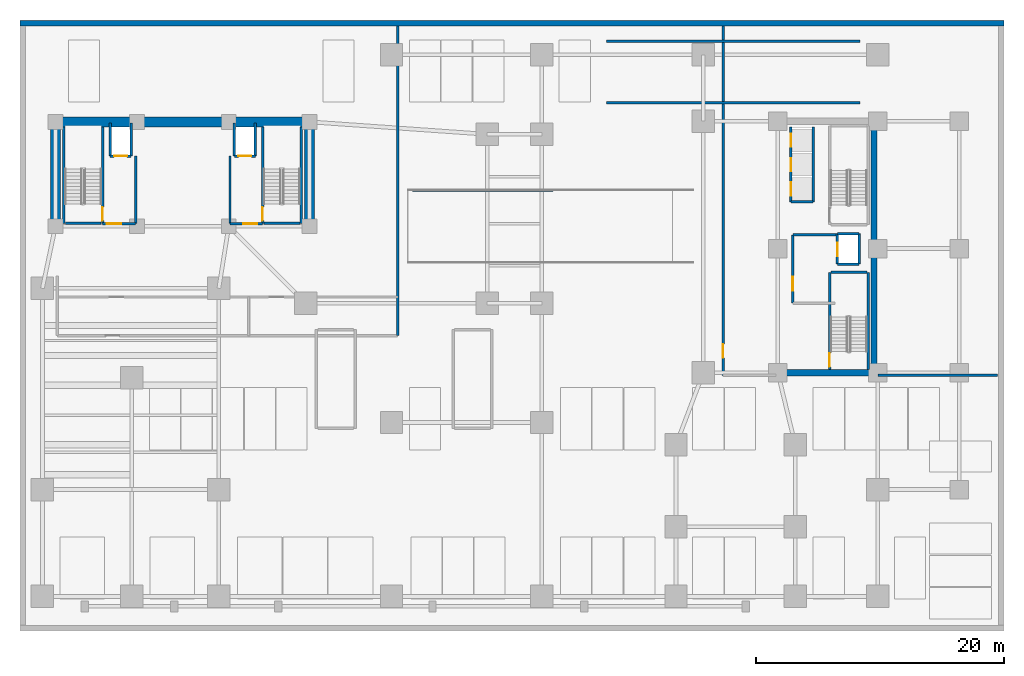
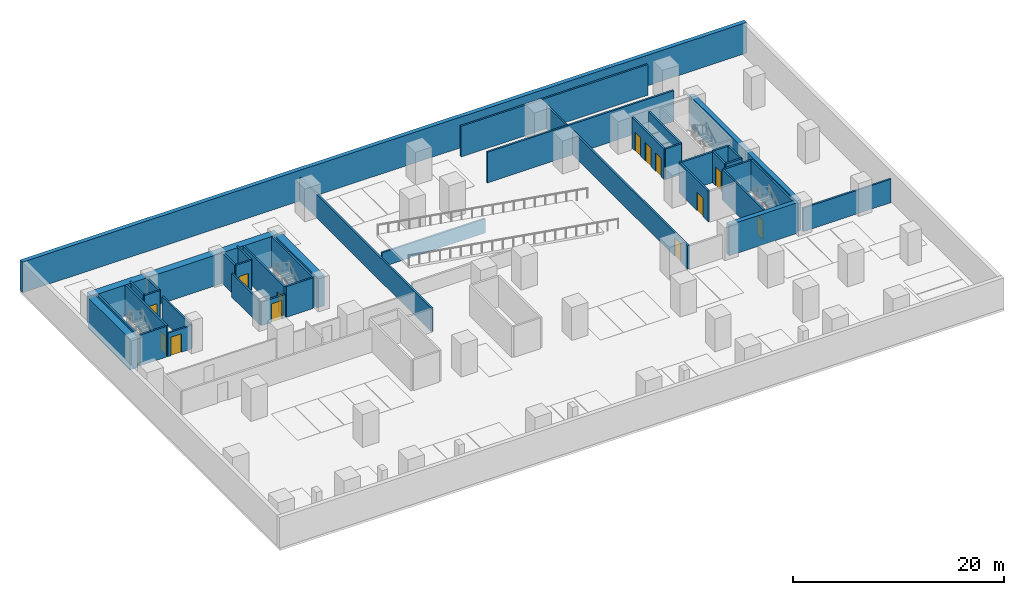
# One storey, part 3 of 9: 40 walls, 13 doors, 13 openings.
"""IFC4 building model written with IfcOpenShell, lengths in metres."""

from ifc_helpers import new_model, si_unit, direction, frame, frame_2d, origin, place, context, subcontext, project, spatial, rectangle, extrude, material, layer, layer_set, type_object, element, fill, save


model = new_model("IFC4")

# Units and contexts
model_context = context("Model", 3, precision=1e-05, world=origin(), true_north=direction((0.0, 1.0)))
body_context = subcontext(model_context, "Body", "Model", "MODEL_VIEW")
ifc_project = project(units=[si_unit("LENGTHUNIT", "METRE"), si_unit("AREAUNIT", "SQUARE_METRE"), si_unit("VOLUMEUNIT", "CUBIC_METRE"), si_unit("PLANEANGLEUNIT", "RADIAN"), si_unit("MASSUNIT", "GRAM", prefix="KILO")], contexts=[model_context])

# Site, building, storey
site_placement = place(None, origin())
site = spatial("IfcSite", under=ifc_project, at=site_placement, CompositionType="ELEMENT")
building_placement = place(site_placement, origin())
building = spatial("IfcBuilding", under=site, at=building_placement, Name="Kuzgunbayir Cultural Tower", CompositionType="ELEMENT")
storey_placement = place(building_placement, frame((0.0, 0.0, -7.60009765625)))
storey = spatial("IfcBuildingStorey", under=building, at=storey_placement, Name="B02", CompositionType="ELEMENT", Elevation=-7.60009765625)

# Walls
ifc_material_1 = material(Name="Concrete C60/75", Category="concrete")
ifc_layer_1 = layer(ifc_material_1, 0.800048828125)
ifc_layer_set_1 = layer_set([ifc_layer_1], Name="Concrete C60/75")
wall_type_1 = type_object("IfcWallType", Name="WAL-CORE-800", PredefinedType="SHEAR", material=ifc_layer_set_1)
wall_1_placement = place(storey_placement, frame((6.449951171875, 42.199951171875, 0.0), z_axis=(0.0, 0.0, 1.0), x_axis=(1.0, 0.0, 0.0)))
element("IfcWall", 1, at=wall_1_placement, inside=storey, type_object=wall_type_1, Name="B02 T1 Core North Shear Wall", PredefinedType="SHEAR", context=body_context, shape_type="SweptSolid", body=[
    extrude(rectangle(XDim=20.449951171875, YDim=0.800048828125, at=frame_2d((10.22509765625, 0.0))), origin(), (0.0, 0.0, 1.0), 3.550048828125),
])
for number, where, z_axis, x_axis, name in (
    (2, (6.449951171875, 33.800048828125, 0.0), (0.0, 0.0, 1.0), (0.0, 1.0, 0.0), "B02 T1 Core West Shear Wall"),
    (3, (26.89990234375, 33.800048828125, 0.0), (0.0, 0.0, 1.0), (0.0, 1.0, 0.0), "B02 T1 Core East Shear Wall"),
):
    element("IfcWall", number, at=place(storey_placement, frame(where, z_axis=z_axis, x_axis=x_axis)), inside=storey, type_object=wall_type_1, Name=name, PredefinedType="SHEAR", context=body_context, shape_type="SweptSolid", body=[
        extrude(rectangle(XDim=7.949951171875, YDim=0.800048828125, at=frame_2d((3.97509765625, 0.0))), origin(), (0.0, 0.0, 1.0), 3.550048828125),
    ])
ifc_material_2 = material(Name="Concrete C40/50", Category="concrete")
ifc_layer_2 = layer(ifc_material_2, 0.449951171875)
ifc_layer_set_2 = layer_set([ifc_layer_2], Name="Concrete C40/50")
wall_type_2 = type_object("IfcWallType", Name="WAL-EXT-BSM-450", PredefinedType="SOLIDWALL", material=ifc_layer_set_2)
wall_2_placement = place(storey_placement, frame((82.800048828125, 50.14990234375, 0.0), z_axis=(0.0, 0.0, 1.0), x_axis=(-1.0, 0.0, 0.0)))
element("IfcWall", 4, at=wall_2_placement, inside=storey, type_object=wall_type_2, Name="B02 North Retaining Wall", PredefinedType="SOLIDWALL", context=body_context, shape_type="SweptSolid", body=[
    extrude(rectangle(XDim=79.199951171875, YDim=0.449951171875, at=frame_2d((39.60009765625, 0.0))), origin(), (0.0, 0.0, 1.0), 3.550048828125),
])
ifc_material_3 = material(Name="Aerated Concrete Blockwork", Category="masonry")
ifc_layer_3 = layer(ifc_material_3, 0.199951171875)
ifc_layer_set_3 = layer_set([ifc_layer_3], Name="Aerated Concrete Blockwork")
wall_type_3 = type_object("IfcWallType", Name="WAL-PART-FIRE-200", PredefinedType="PARTITIONING", material=ifc_layer_set_3)
wall_3_placement = place(storey_placement, frame((12.89990234375, 34.0, 0.0), z_axis=(0.0, 0.0, 1.0), x_axis=(0.0, 1.0, 0.0)))
element("IfcWall", 5, at=wall_3_placement, inside=storey, type_object=wall_type_3, Name="B02 FFL-1 Lobby East Fire Wall", PredefinedType="PARTITIONING", context=body_context, shape_type="SweptSolid", body=[
    extrude(rectangle(XDim=5.449951171875, YDim=0.199951171875, at=frame_2d((2.72509765625, 0.0))), origin(), (0.0, 0.0, 1.0), 2.72021484375),
])

# Wall, opening, door
wall_4_placement = place(storey_placement, frame((10.239990234375, 34.0, 0.0), z_axis=(0.0, 0.0, 1.0), x_axis=(1.0, 0.0, 0.0)))
wall_4 = element("IfcWall", 6, at=wall_4_placement, inside=storey, type_object=wall_type_3, Name="B02 FFL-1 Lobby South Fire Wall", PredefinedType="PARTITIONING", context=body_context, shape_type="SweptSolid", body=[
    extrude(rectangle(XDim=2.659912109375, YDim=0.199951171875, at=frame_2d((1.330078125, 0.0))), origin(), (0.0, 0.0, 1.0), 2.72021484375),
])
opening_1_placement = place(wall_4_placement, frame((0.35009765625, 0.0, 0.0)))
opening_1 = element("IfcOpeningElement", 7, at=opening_1_placement, cuts=wall_4, Name="Opening DR-FFL-90", PredefinedType="OPENING", context=body_context, shape_type="SweptSolid", body=[
    extrude(rectangle(XDim=1.14990234375, YDim=2.14990234375, at=frame_2d((0.574951171875, 1.074951171875))), frame((0.0, 0.10986328125, 0.0), z_axis=(0.0, -1.0, 0.0), x_axis=(1.0, 0.0, 0.0)), (0.0, 0.0, 1.0), 0.219970703125),
])
ifc_material_4 = material(Name="Steel S355J2", Category="steel")
door_type_1 = type_object("IfcDoorType", Name="DR-FFL-90", OperationType="NOTDEFINED", PredefinedType="DOOR", material=ifc_material_4)
door_1_placement = place(opening_1_placement, origin())
door_1 = element("IfcDoor", 8, at=door_1_placement, inside=storey, type_object=door_type_1, Name="B02 Firefighting Lobby 1 Door", OperationType="SINGLE_SWING_LEFT", OverallHeight=2.14990234375, OverallWidth=1.14990234375, PredefinedType="DOOR", context=body_context, shape_type="SweptSolid", body=[
    extrude(rectangle(XDim=1.14990234375, YDim=2.14990234375, at=frame_2d((0.574951171875, 1.074951171875))), frame((0.0, 0.02490234375, 0.0), z_axis=(0.0, -1.0, 0.0), x_axis=(1.0, 0.0, 0.0)), (0.0, 0.0, 1.0), 0.050048828125),
])
fill(opening_1, door_1)

# Wall
wall_5_placement = place(storey_placement, frame((20.5, 34.0, 0.0), z_axis=(0.0, 0.0, 1.0), x_axis=(0.0, 1.0, 0.0)))
element("IfcWall", 9, at=wall_5_placement, inside=storey, type_object=wall_type_3, Name="B02 FFL-2 Lobby West Fire Wall", PredefinedType="PARTITIONING", context=body_context, shape_type="SweptSolid", body=[
    extrude(rectangle(XDim=5.449951171875, YDim=0.199951171875, at=frame_2d((2.72509765625, 0.0))), origin(), (0.0, 0.0, 1.0), 2.72021484375),
])

# Wall, opening, door
wall_6_placement = place(storey_placement, frame((20.5, 34.0, 0.0), z_axis=(0.0, 0.0, 1.0), x_axis=(1.0, 0.0, 0.0)))
wall_6 = element("IfcWall", 10, at=wall_6_placement, inside=storey, type_object=wall_type_3, Name="B02 FFL-2 Lobby South Fire Wall", PredefinedType="PARTITIONING", context=body_context, shape_type="SweptSolid", body=[
    extrude(rectangle(XDim=2.60009765625, YDim=0.199951171875, at=frame_2d((1.300048828125, 0.0))), origin(), (0.0, 0.0, 1.0), 2.72021484375),
])
opening_2_placement = place(wall_6_placement, frame((1.050048828125, 0.0, 0.0)))
opening_2 = element("IfcOpeningElement", 11, at=opening_2_placement, cuts=wall_6, Name="Opening DR-FFL-90", PredefinedType="OPENING", context=body_context, shape_type="SweptSolid", body=[
    extrude(rectangle(XDim=1.14990234375, YDim=2.14990234375, at=frame_2d((0.574951171875, 1.074951171875))), frame((0.0, 0.10986328125, 0.0), z_axis=(0.0, -1.0, 0.0), x_axis=(1.0, 0.0, 0.0)), (0.0, 0.0, 1.0), 0.219970703125),
])
door_2_placement = place(opening_2_placement, origin())
door_2 = element("IfcDoor", 12, at=door_2_placement, inside=storey, type_object=door_type_1, Name="B02 Firefighting Lobby 2 Door", OperationType="SINGLE_SWING_RIGHT", OverallHeight=2.14990234375, OverallWidth=1.14990234375, PredefinedType="DOOR", context=body_context, shape_type="SweptSolid", body=[
    extrude(rectangle(XDim=1.14990234375, YDim=2.14990234375, at=frame_2d((0.574951171875, 1.074951171875))), frame((0.0, 0.02490234375, 0.0), z_axis=(0.0, -1.0, 0.0), x_axis=(1.0, 0.0, 0.0)), (0.0, 0.0, 1.0), 0.050048828125),
])
fill(opening_2, door_2)

wall_7_placement = place(storey_placement, frame((65.800048828125, 27.60009765625, 0.0), z_axis=(0.0, 0.0, 1.0), x_axis=(0.0, 1.0, 0.0)))
wall_7 = element("IfcWall", 13, at=wall_7_placement, inside=storey, type_object=wall_type_3, Name="B02 FFL-3 Lobby West Fire Wall", PredefinedType="PARTITIONING", context=body_context, shape_type="SweptSolid", body=[
    extrude(rectangle(XDim=5.5, YDim=0.199951171875, at=frame_2d((2.75, 0.0))), origin(), (0.0, 0.0, 1.0), 3.550048828125),
])
opening_3_placement = place(wall_7_placement, frame((1.0, 0.0, 0.0)))
opening_3 = element("IfcOpeningElement", 14, at=opening_3_placement, cuts=wall_7, Name="Opening DR-FFL-90", PredefinedType="OPENING", context=body_context, shape_type="SweptSolid", body=[
    extrude(rectangle(XDim=1.14990234375, YDim=2.14990234375, at=frame_2d((0.574951171875, 1.074951171875))), frame((0.0, 0.10986328125, 0.0), z_axis=(0.0, -1.0, 0.0), x_axis=(1.0, 0.0, 0.0)), (0.0, 0.0, 1.0), 0.219970703125),
])
door_3_placement = place(opening_3_placement, origin())
door_3 = element("IfcDoor", 15, at=door_3_placement, inside=storey, type_object=door_type_1, Name="B02 Firefighting Lobby 3 Door", OperationType="SINGLE_SWING_LEFT", OverallHeight=2.14990234375, OverallWidth=1.14990234375, PredefinedType="DOOR", context=body_context, shape_type="SweptSolid", body=[
    extrude(rectangle(XDim=1.14990234375, YDim=2.14990234375, at=frame_2d((0.574951171875, 1.074951171875))), frame((0.0, 0.02490234375, 0.0), z_axis=(0.0, -1.0, 0.0), x_axis=(1.0, 0.0, 0.0)), (0.0, 0.0, 1.0), 0.050048828125),
])
fill(opening_3, door_3)

# Walls
wall_8_placement = place(storey_placement, frame((65.800048828125, 33.10009765625, 0.0), z_axis=(0.0, 0.0, 1.0), x_axis=(1.0, 0.0, 0.0)))
element("IfcWall", 16, at=wall_8_placement, inside=storey, type_object=wall_type_3, Name="B02 FFL-3 Lobby North Fire Wall", PredefinedType="PARTITIONING", context=body_context, shape_type="SweptSolid", body=[
    extrude(rectangle(XDim=3.599853515625, YDim=0.199951171875, at=frame_2d((1.7998046875, 0.0))), origin(), (0.0, 0.0, 1.0), 3.550048828125),
])
wall_9_placement = place(storey_placement, frame((34.0, 25.0, 0.0), z_axis=(0.0, 0.0, 1.0), x_axis=(0.0, 1.0, 0.0)))
element("IfcWall", 17, at=wall_9_placement, inside=storey, type_object=wall_type_3, Name="B02 Basement Core East Fire Wall", PredefinedType="PARTITIONING", context=body_context, shape_type="SweptSolid", body=[
    extrude(rectangle(XDim=24.89990234375, YDim=0.199951171875, at=frame_2d((12.449951171875, 0.0))), origin(), (0.0, 0.0, 1.0), 2.72021484375),
])

# Wall, opening, door
wall_10_placement = place(storey_placement, frame((60.199951171875, 21.800048828125, 0.0), z_axis=(0.0, 0.0, 1.0), x_axis=(0.0, 1.0, 0.0)))
wall_10 = element("IfcWall", 18, at=wall_10_placement, inside=storey, type_object=wall_type_3, Name="B02 Companion Basement Core Fire Wall", PredefinedType="PARTITIONING", context=body_context, shape_type="SweptSolid", body=[
    extrude(rectangle(XDim=28.099853515625, YDim=0.199951171875, at=frame_2d((14.0498046875, 0.0))), origin(), (0.0, 0.0, 1.0), 2.72021484375),
])
opening_4_placement = place(wall_10_placement, frame((1.39990234375, 0.0, 0.0)))
opening_4 = element("IfcOpeningElement", 19, at=opening_4_placement, cuts=wall_10, Name="Opening DR-STAIR-90", PredefinedType="OPENING", context=body_context, shape_type="SweptSolid", body=[
    extrude(rectangle(XDim=1.10009765625, YDim=2.14990234375, at=frame_2d((0.550048828125, 1.074951171875))), frame((0.0, 0.10986328125, 0.0), z_axis=(0.0, -1.0, 0.0), x_axis=(1.0, 0.0, 0.0)), (0.0, 0.0, 1.0), 0.219970703125),
])
door_type_2 = type_object("IfcDoorType", Name="DR-STAIR-90", OperationType="NOTDEFINED", PredefinedType="DOOR", material=ifc_material_4)
door_4_placement = place(opening_4_placement, origin())
door_4 = element("IfcDoor", 20, at=door_4_placement, inside=storey, type_object=door_type_2, Name="B02 Parking to Companion Core Corridor Door", OperationType="SINGLE_SWING_RIGHT", OverallHeight=2.14990234375, OverallWidth=1.10009765625, PredefinedType="DOOR", context=body_context, shape_type="SweptSolid", body=[
    extrude(rectangle(XDim=1.10009765625, YDim=2.14990234375, at=frame_2d((0.550048828125, 1.074951171875))), frame((0.0, 0.02490234375, 0.0), z_axis=(0.0, -1.0, 0.0), x_axis=(1.0, 0.0, 0.0)), (0.0, 0.0, 1.0), 0.050048828125),
])
fill(opening_4, door_4)

# Wall
wall_11_placement = place(storey_placement, frame((72.64990234375, 21.800048828125, 0.0), z_axis=(0.0, 0.0, 1.0), x_axis=(1.0, 0.0, 0.0)))
element("IfcWall", 21, at=wall_11_placement, inside=storey, type_object=wall_type_3, Name="B02 Companion Basement East Wall", PredefinedType="PARTITIONING", context=body_context, shape_type="SweptSolid", body=[
    extrude(rectangle(XDim=9.650146484375, YDim=0.199951171875, at=frame_2d((4.8251953125, 0.0))), origin(), (0.0, 0.0, 1.0), 2.72021484375),
])

# Wall, opening, door
ifc_layer_4 = layer(ifc_material_2, 0.199951171875)
ifc_layer_set_4 = layer_set([ifc_layer_4], Name="Concrete C40/50")
wall_type_4 = type_object("IfcWallType", Name="WAL-SHAFT-200", PredefinedType="MOVABLE", material=ifc_layer_set_4)
wall_12_placement = place(storey_placement, frame((10.85009765625, 39.449951171875, 0.0), z_axis=(0.0, 0.0, 1.0), x_axis=(1.0, 0.0, 0.0)))
wall_12 = element("IfcWall", 22, at=wall_12_placement, inside=storey, type_object=wall_type_4, Name="B02 FFL-1 Lift Front Wall", PredefinedType="MOVABLE", context=body_context, shape_type="SweptSolid", body=[
    extrude(rectangle(XDim=1.699951171875, YDim=0.199951171875, at=frame_2d((0.85009765625, 0.0))), origin(), (0.0, 0.0, 1.0), 3.550048828125),
])
opening_5_placement = place(wall_12_placement, frame((0.320068359375, 0.0, 0.0)))
opening_5 = element("IfcOpeningElement", 23, at=opening_5_placement, cuts=wall_12, Name="Opening LD", PredefinedType="OPENING", context=body_context, shape_type="SweptSolid", body=[
    extrude(rectangle(XDim=1.050048828125, YDim=2.14990234375, at=frame_2d((0.52490234375, 1.074951171875))), frame((0.0, 0.10986328125, 0.0), z_axis=(0.0, -1.0, 0.0), x_axis=(1.0, 0.0, 0.0)), (0.0, 0.0, 1.0), 0.219970703125),
])
ifc_material_5 = material(Name="Brushed Stainless Steel", Category="steel")
door_type_3 = type_object("IfcDoorType", Name="DR-LIFT-LANDING", OperationType="SLIDING_TO_LEFT", PredefinedType="DOOR", material=ifc_material_5)
door_5_placement = place(opening_5_placement, origin())
door_5 = element("IfcDoor", 24, at=door_5_placement, inside=storey, type_object=door_type_3, Name="B02 Lift FFL-1 Landing Door", OperationType="SLIDING_TO_LEFT", OverallHeight=2.14990234375, OverallWidth=1.050048828125, PredefinedType="DOOR", context=body_context, shape_type="SweptSolid", body=[
    extrude(rectangle(XDim=1.050048828125, YDim=2.14990234375, at=frame_2d((0.52490234375, 1.074951171875))), frame((0.0, 0.02490234375, 0.0), z_axis=(0.0, -1.0, 0.0), x_axis=(1.0, 0.0, 0.0)), (0.0, 0.0, 1.0), 0.050048828125),
])
fill(opening_5, door_5)

wall_13_placement = place(storey_placement, frame((20.85009765625, 39.449951171875, 0.0), z_axis=(0.0, 0.0, 1.0), x_axis=(1.0, 0.0, 0.0)))
wall_13 = element("IfcWall", 25, at=wall_13_placement, inside=storey, type_object=wall_type_4, Name="B02 FFL-2 Lift Front Wall", PredefinedType="MOVABLE", context=body_context, shape_type="SweptSolid", body=[
    extrude(rectangle(XDim=1.699951171875, YDim=0.199951171875, at=frame_2d((0.85009765625, 0.0))), origin(), (0.0, 0.0, 1.0), 3.550048828125),
])
opening_6_placement = place(wall_13_placement, frame((0.320068359375, 0.0, 0.0)))
opening_6 = element("IfcOpeningElement", 26, at=opening_6_placement, cuts=wall_13, Name="Opening LD", PredefinedType="OPENING", context=body_context, shape_type="SweptSolid", body=[
    extrude(rectangle(XDim=1.050048828125, YDim=2.14990234375, at=frame_2d((0.52490234375, 1.074951171875))), frame((0.0, 0.10986328125, 0.0), z_axis=(0.0, -1.0, 0.0), x_axis=(1.0, 0.0, 0.0)), (0.0, 0.0, 1.0), 0.219970703125),
])
door_6_placement = place(opening_6_placement, origin())
door_6 = element("IfcDoor", 27, at=door_6_placement, inside=storey, type_object=door_type_3, Name="B02 Lift FFL-2 Landing Door", OperationType="SLIDING_TO_LEFT", OverallHeight=2.14990234375, OverallWidth=1.050048828125, PredefinedType="DOOR", context=body_context, shape_type="SweptSolid", body=[
    extrude(rectangle(XDim=1.050048828125, YDim=2.14990234375, at=frame_2d((0.52490234375, 1.074951171875))), frame((0.0, 0.02490234375, 0.0), z_axis=(0.0, -1.0, 0.0), x_axis=(1.0, 0.0, 0.0)), (0.0, 0.0, 1.0), 0.050048828125),
])
fill(opening_6, door_6)

# Walls
for number, where, z_axis, x_axis, name in (
    (28, (10.85009765625, 39.449951171875, 0.0), (0.0, 0.0, 1.0), (0.0, 1.0, 0.0), "B02 FFL-1 Shaft West Wall"),
    (29, (12.550048828125, 39.449951171875, 0.0), (0.0, 0.0, 1.0), (0.0, 1.0, 0.0), "B02 FFL-1 Shaft East Wall"),
    (30, (20.85009765625, 39.449951171875, 0.0), (0.0, 0.0, 1.0), (0.0, 1.0, 0.0), "B02 FFL-2 Shaft West Wall"),
    (31, (22.550048828125, 39.449951171875, 0.0), (0.0, 0.0, 1.0), (0.0, 1.0, 0.0), "B02 FFL-2 Shaft East Wall"),
):
    element("IfcWall", number, at=place(storey_placement, frame(where, z_axis=z_axis, x_axis=x_axis)), inside=storey, type_object=wall_type_4, Name=name, PredefinedType="MOVABLE", context=body_context, shape_type="SweptSolid", body=[
        extrude(rectangle(XDim=2.650146484375, YDim=0.199951171875, at=frame_2d((1.3251953125, 0.0))), origin(), (0.0, 0.0, 1.0), 3.550048828125),
    ])

# Wall, openings, doors
wall_14_placement = place(storey_placement, frame((65.64990234375, 35.75, 0.0), z_axis=(0.0, 0.0, 1.0), x_axis=(0.0, 1.0, 0.0)))
wall_14 = element("IfcWall", 32, at=wall_14_placement, inside=storey, type_object=wall_type_4, Name="B02 Companion Lift Front Wall", PredefinedType="MOVABLE", context=body_context, shape_type="SweptSolid", body=[
    extrude(rectangle(XDim=6.050048828125, YDim=0.199951171875, at=frame_2d((3.02490234375, 0.0))), origin(), (0.0, 0.0, 1.0), 3.550048828125),
])
opening_7_placement = place(wall_14_placement, frame((0.52001953125, 0.0, 0.0)))
opening_7 = element("IfcOpeningElement", 33, at=opening_7_placement, cuts=wall_14, Name="Opening LD", PredefinedType="OPENING", context=body_context, shape_type="SweptSolid", body=[
    extrude(rectangle(XDim=1.050048828125, YDim=2.14990234375, at=frame_2d((0.52490234375, 1.074951171875))), frame((0.0, 0.10986328125, 0.0), z_axis=(0.0, -1.0, 0.0), x_axis=(1.0, 0.0, 0.0)), (0.0, 0.0, 1.0), 0.219970703125),
])
opening_8_placement = place(wall_14_placement, frame((2.47998046875, 0.0, 0.0)))
opening_8 = element("IfcOpeningElement", 34, at=opening_8_placement, cuts=wall_14, Name="Opening LD", PredefinedType="OPENING", context=body_context, shape_type="SweptSolid", body=[
    extrude(rectangle(XDim=1.050048828125, YDim=2.14990234375, at=frame_2d((0.52490234375, 1.074951171875))), frame((0.0, 0.10986328125, 0.0), z_axis=(0.0, -1.0, 0.0), x_axis=(1.0, 0.0, 0.0)), (0.0, 0.0, 1.0), 0.219970703125),
])
opening_9_placement = place(wall_14_placement, frame((4.429931640625, 0.0, 0.0)))
opening_9 = element("IfcOpeningElement", 35, at=opening_9_placement, cuts=wall_14, Name="Opening LD", PredefinedType="OPENING", context=body_context, shape_type="SweptSolid", body=[
    extrude(rectangle(XDim=1.050048828125, YDim=2.14990234375, at=frame_2d((0.52490234375, 1.074951171875))), frame((0.0, 0.10986328125, 0.0), z_axis=(0.0, -1.0, 0.0), x_axis=(1.0, 0.0, 0.0)), (0.0, 0.0, 1.0), 0.219970703125),
])
door_7_placement = place(opening_7_placement, origin())
door_7 = element("IfcDoor", 36, at=door_7_placement, inside=storey, type_object=door_type_3, Name="B02 Lift PC-1 Landing Door", OperationType="SLIDING_TO_LEFT", OverallHeight=2.14990234375, OverallWidth=1.050048828125, PredefinedType="DOOR", context=body_context, shape_type="SweptSolid", body=[
    extrude(rectangle(XDim=1.050048828125, YDim=2.14990234375, at=frame_2d((0.52490234375, 1.074951171875))), frame((0.0, 0.02490234375, 0.0), z_axis=(0.0, -1.0, 0.0), x_axis=(1.0, 0.0, 0.0)), (0.0, 0.0, 1.0), 0.050048828125),
])
fill(opening_7, door_7)
door_8_placement = place(opening_8_placement, origin())
door_8 = element("IfcDoor", 37, at=door_8_placement, inside=storey, type_object=door_type_3, Name="B02 Lift PC-2 Landing Door", OperationType="SLIDING_TO_LEFT", OverallHeight=2.14990234375, OverallWidth=1.050048828125, PredefinedType="DOOR", context=body_context, shape_type="SweptSolid", body=[
    extrude(rectangle(XDim=1.050048828125, YDim=2.14990234375, at=frame_2d((0.52490234375, 1.074951171875))), frame((0.0, 0.02490234375, 0.0), z_axis=(0.0, -1.0, 0.0), x_axis=(1.0, 0.0, 0.0)), (0.0, 0.0, 1.0), 0.050048828125),
])
fill(opening_8, door_8)
door_9_placement = place(opening_9_placement, origin())
door_9 = element("IfcDoor", 38, at=door_9_placement, inside=storey, type_object=door_type_3, Name="B02 Lift PC-3 Landing Door", OperationType="SLIDING_TO_LEFT", OverallHeight=2.14990234375, OverallWidth=1.050048828125, PredefinedType="DOOR", context=body_context, shape_type="SweptSolid", body=[
    extrude(rectangle(XDim=1.050048828125, YDim=2.14990234375, at=frame_2d((0.52490234375, 1.074951171875))), frame((0.0, 0.02490234375, 0.0), z_axis=(0.0, -1.0, 0.0), x_axis=(1.0, 0.0, 0.0)), (0.0, 0.0, 1.0), 0.050048828125),
])
fill(opening_9, door_9)

# Walls
wall_15_placement = place(storey_placement, frame((67.449951171875, 35.75, 0.0), z_axis=(0.0, 0.0, 1.0), x_axis=(0.0, 1.0, 0.0)))
element("IfcWall", 39, at=wall_15_placement, inside=storey, type_object=wall_type_4, Name="B02 Companion Lift Shaft Back Wall", PredefinedType="MOVABLE", context=body_context, shape_type="SweptSolid", body=[
    extrude(rectangle(XDim=6.050048828125, YDim=0.199951171875, at=frame_2d((3.02490234375, 0.0))), origin(), (0.0, 0.0, 1.0), 3.550048828125),
])
wall_16_placement = place(storey_placement, frame((65.64990234375, 35.75, 0.0), z_axis=(0.0, 0.0, 1.0), x_axis=(1.0, 0.0, 0.0)))
element("IfcWall", 40, at=wall_16_placement, inside=storey, type_object=wall_type_4, Name="B02 Companion Lift Shaft South Wall", PredefinedType="MOVABLE", context=body_context, shape_type="SweptSolid", body=[
    extrude(rectangle(XDim=1.800048828125, YDim=0.199951171875, at=frame_2d((0.89990234375, 0.0))), origin(), (0.0, 0.0, 1.0), 3.550048828125),
])

# Wall, opening, door
wall_17_placement = place(storey_placement, frame((69.39990234375, 30.75, 0.0), z_axis=(0.0, 0.0, 1.0), x_axis=(0.0, 1.0, 0.0)))
wall_17 = element("IfcWall", 41, at=wall_17_placement, inside=storey, type_object=wall_type_4, Name="B02 FFL-3 Lift Front Wall", PredefinedType="MOVABLE", context=body_context, shape_type="SweptSolid", body=[
    extrude(rectangle(XDim=2.449951171875, YDim=0.199951171875, at=frame_2d((1.22509765625, 0.0))), origin(), (0.0, 0.0, 1.0), 3.550048828125),
])
opening_10_placement = place(wall_17_placement, frame((0.64990234375, 0.0, 0.0)))
opening_10 = element("IfcOpeningElement", 42, at=opening_10_placement, cuts=wall_17, Name="Opening LD", PredefinedType="OPENING", context=body_context, shape_type="SweptSolid", body=[
    extrude(rectangle(XDim=1.050048828125, YDim=2.14990234375, at=frame_2d((0.52490234375, 1.074951171875))), frame((0.0, 0.10986328125, 0.0), z_axis=(0.0, -1.0, 0.0), x_axis=(1.0, 0.0, 0.0)), (0.0, 0.0, 1.0), 0.219970703125),
])
door_10_placement = place(opening_10_placement, origin())
door_10 = element("IfcDoor", 43, at=door_10_placement, inside=storey, type_object=door_type_3, Name="B02 Lift FFL-3 Landing Door", OperationType="SLIDING_TO_LEFT", OverallHeight=2.14990234375, OverallWidth=1.050048828125, PredefinedType="DOOR", context=body_context, shape_type="SweptSolid", body=[
    extrude(rectangle(XDim=1.050048828125, YDim=2.14990234375, at=frame_2d((0.52490234375, 1.074951171875))), frame((0.0, 0.02490234375, 0.0), z_axis=(0.0, -1.0, 0.0), x_axis=(1.0, 0.0, 0.0)), (0.0, 0.0, 1.0), 0.050048828125),
])
fill(opening_10, door_10)

# Walls
wall_18_placement = place(storey_placement, frame((71.14990234375, 30.75, 0.0), z_axis=(0.0, 0.0, 1.0), x_axis=(0.0, 1.0, 0.0)))
element("IfcWall", 44, at=wall_18_placement, inside=storey, type_object=wall_type_4, Name="B02 FFL-3 Shaft Back Wall", PredefinedType="MOVABLE", context=body_context, shape_type="SweptSolid", body=[
    extrude(rectangle(XDim=2.449951171875, YDim=0.199951171875, at=frame_2d((1.22509765625, 0.0))), origin(), (0.0, 0.0, 1.0), 3.550048828125),
])
for number, where, z_axis, x_axis, name in (
    (45, (69.39990234375, 33.199951171875, 0.0), (0.0, 0.0, 1.0), (1.0, 0.0, 0.0), "B02 FFL-3 Shaft North Wall"),
    (46, (69.39990234375, 30.75, 0.0), (0.0, 0.0, 1.0), (1.0, 0.0, 0.0), "B02 FFL-3 Shaft South Wall"),
):
    element("IfcWall", number, at=place(storey_placement, frame(where, z_axis=z_axis, x_axis=x_axis)), inside=storey, type_object=wall_type_4, Name=name, PredefinedType="MOVABLE", context=body_context, shape_type="SweptSolid", body=[
        extrude(rectangle(XDim=1.75, YDim=0.199951171875, at=frame_2d((0.875, 0.0))), origin(), (0.0, 0.0, 1.0), 3.550048828125),
    ])
ifc_layer_5 = layer(ifc_material_2, 0.199951171875)
ifc_layer_set_5 = layer_set([ifc_layer_5], Name="Concrete C40/50")
wall_type_5 = type_object("IfcWallType", Name="WAL-STAIR-RC-200", PredefinedType="SHEAR", material=ifc_layer_set_5)
wall_19_placement = place(storey_placement, frame((7.1201171875, 34.02001953125, 0.0), z_axis=(0.0, 0.0, 1.0), x_axis=(0.0, 1.0, 0.0)))
element("IfcWall", 47, at=wall_19_placement, inside=storey, type_object=wall_type_5, Name="B02 Stair ST-1 West Structural Wall", PredefinedType="SHEAR", context=body_context, shape_type="SweptSolid", body=[
    extrude(rectangle(XDim=7.780029296875, YDim=0.199951171875, at=frame_2d((3.89013671875, 0.0))), origin(), (0.0, 0.0, 1.0), 3.550048828125),
])

# Wall, opening, door
wall_20_placement = place(storey_placement, frame((10.239990234375, 34.02001953125, 0.0), z_axis=(0.0, 0.0, 1.0), x_axis=(0.0, 1.0, 0.0)))
wall_20 = element("IfcWall", 48, at=wall_20_placement, inside=storey, type_object=wall_type_5, Name="B02 Stair ST-1 East Structural Wall", PredefinedType="SHEAR", context=body_context, shape_type="SweptSolid", body=[
    extrude(rectangle(XDim=7.780029296875, YDim=0.199951171875, at=frame_2d((3.89013671875, 0.0))), origin(), (0.0, 0.0, 1.0), 3.550048828125),
])
opening_11_placement = place(wall_20_placement, frame((0.219970703125, 0.0, 0.0)))
opening_11 = element("IfcOpeningElement", 49, at=opening_11_placement, cuts=wall_20, Name="Opening DR-STAIR-90", PredefinedType="OPENING", context=body_context, shape_type="SweptSolid", body=[
    extrude(rectangle(XDim=1.10009765625, YDim=2.14990234375, at=frame_2d((0.550048828125, 1.074951171875))), frame((0.0, 0.10986328125, 0.0), z_axis=(0.0, -1.0, 0.0), x_axis=(1.0, 0.0, 0.0)), (0.0, 0.0, 1.0), 0.219970703125),
])
door_11_placement = place(opening_11_placement, origin())
door_11 = element("IfcDoor", 50, at=door_11_placement, inside=storey, type_object=door_type_2, Name="B02 Stair ST-1 Fire Door", OperationType="SINGLE_SWING_RIGHT", OverallHeight=2.14990234375, OverallWidth=1.10009765625, PredefinedType="DOOR", context=body_context, shape_type="SweptSolid", body=[
    extrude(rectangle(XDim=1.10009765625, YDim=2.14990234375, at=frame_2d((0.550048828125, 1.074951171875))), frame((0.0, 0.02490234375, 0.0), z_axis=(0.0, -1.0, 0.0), x_axis=(1.0, 0.0, 0.0)), (0.0, 0.0, 1.0), 0.050048828125),
])
fill(opening_11, door_11)

# Wall
wall_21_placement = place(storey_placement, frame((7.239990234375, 34.02001953125, 0.0), z_axis=(0.0, 0.0, 1.0), x_axis=(1.0, 0.0, 0.0)))
element("IfcWall", 51, at=wall_21_placement, inside=storey, type_object=wall_type_5, Name="B02 Stair ST-1 South Structural Wall", PredefinedType="SHEAR", context=body_context, shape_type="SweptSolid", body=[
    extrude(rectangle(XDim=2.880126953125, YDim=0.199951171875, at=frame_2d((1.43994140625, 0.0))), origin(), (0.0, 0.0, 1.0), 3.550048828125),
])

# Wall, opening, door
wall_22_placement = place(storey_placement, frame((23.1201171875, 34.02001953125, 0.0), z_axis=(0.0, 0.0, 1.0), x_axis=(0.0, 1.0, 0.0)))
wall_22 = element("IfcWall", 52, at=wall_22_placement, inside=storey, type_object=wall_type_5, Name="B02 Stair ST-2 West Structural Wall", PredefinedType="SHEAR", context=body_context, shape_type="SweptSolid", body=[
    extrude(rectangle(XDim=7.780029296875, YDim=0.199951171875, at=frame_2d((3.89013671875, 0.0))), origin(), (0.0, 0.0, 1.0), 3.550048828125),
])
opening_12_placement = place(wall_22_placement, frame((0.219970703125, 0.0, 0.0)))
opening_12 = element("IfcOpeningElement", 53, at=opening_12_placement, cuts=wall_22, Name="Opening DR-STAIR-90", PredefinedType="OPENING", context=body_context, shape_type="SweptSolid", body=[
    extrude(rectangle(XDim=1.10009765625, YDim=2.14990234375, at=frame_2d((0.550048828125, 1.074951171875))), frame((0.0, 0.10986328125, 0.0), z_axis=(0.0, -1.0, 0.0), x_axis=(1.0, 0.0, 0.0)), (0.0, 0.0, 1.0), 0.219970703125),
])
door_12_placement = place(opening_12_placement, origin())
door_12 = element("IfcDoor", 54, at=door_12_placement, inside=storey, type_object=door_type_2, Name="B02 Stair ST-2 Fire Door", OperationType="SINGLE_SWING_RIGHT", OverallHeight=2.14990234375, OverallWidth=1.10009765625, PredefinedType="DOOR", context=body_context, shape_type="SweptSolid", body=[
    extrude(rectangle(XDim=1.10009765625, YDim=2.14990234375, at=frame_2d((0.550048828125, 1.074951171875))), frame((0.0, 0.02490234375, 0.0), z_axis=(0.0, -1.0, 0.0), x_axis=(1.0, 0.0, 0.0)), (0.0, 0.0, 1.0), 0.050048828125),
])
fill(opening_12, door_12)

# Walls
wall_23_placement = place(storey_placement, frame((26.239990234375, 34.02001953125, 0.0), z_axis=(0.0, 0.0, 1.0), x_axis=(0.0, 1.0, 0.0)))
element("IfcWall", 55, at=wall_23_placement, inside=storey, type_object=wall_type_5, Name="B02 Stair ST-2 East Structural Wall", PredefinedType="SHEAR", context=body_context, shape_type="SweptSolid", body=[
    extrude(rectangle(XDim=7.780029296875, YDim=0.199951171875, at=frame_2d((3.89013671875, 0.0))), origin(), (0.0, 0.0, 1.0), 3.550048828125),
])
wall_24_placement = place(storey_placement, frame((23.239990234375, 34.02001953125, 0.0), z_axis=(0.0, 0.0, 1.0), x_axis=(1.0, 0.0, 0.0)))
element("IfcWall", 56, at=wall_24_placement, inside=storey, type_object=wall_type_5, Name="B02 Stair ST-2 South Structural Wall", PredefinedType="SHEAR", context=body_context, shape_type="SweptSolid", body=[
    extrude(rectangle(XDim=2.880126953125, YDim=0.199951171875, at=frame_2d((1.43994140625, 0.0))), origin(), (0.0, 0.0, 1.0), 3.550048828125),
])

# Wall, opening, door
wall_25_placement = place(storey_placement, frame((68.760009765625, 22.260009765625, 0.0), z_axis=(0.0, 0.0, 1.0), x_axis=(0.0, 1.0, 0.0)))
wall_25 = element("IfcWall", 57, at=wall_25_placement, inside=storey, type_object=wall_type_5, Name="B02 Stair ST-3 West Structural Wall", PredefinedType="SHEAR", context=body_context, shape_type="SweptSolid", body=[
    extrude(rectangle(XDim=7.820068359375, YDim=0.199951171875, at=frame_2d((3.91015625, 0.0))), origin(), (0.0, 0.0, 1.0), 3.550048828125),
])
opening_13_placement = place(wall_25_placement, frame((0.219970703125, 0.0, 0.0)))
opening_13 = element("IfcOpeningElement", 58, at=opening_13_placement, cuts=wall_25, Name="Opening DR-STAIR-90", PredefinedType="OPENING", context=body_context, shape_type="SweptSolid", body=[
    extrude(rectangle(XDim=1.10009765625, YDim=2.14990234375, at=frame_2d((0.550048828125, 1.074951171875))), frame((0.0, 0.10986328125, 0.0), z_axis=(0.0, -1.0, 0.0), x_axis=(1.0, 0.0, 0.0)), (0.0, 0.0, 1.0), 0.219970703125),
])
door_13_placement = place(opening_13_placement, origin())
door_13 = element("IfcDoor", 59, at=door_13_placement, inside=storey, type_object=door_type_2, Name="B02 Stair ST-3 Fire Door", OperationType="SINGLE_SWING_RIGHT", OverallHeight=2.14990234375, OverallWidth=1.10009765625, PredefinedType="DOOR", context=body_context, shape_type="SweptSolid", body=[
    extrude(rectangle(XDim=1.10009765625, YDim=2.14990234375, at=frame_2d((0.550048828125, 1.074951171875))), frame((0.0, 0.02490234375, 0.0), z_axis=(0.0, -1.0, 0.0), x_axis=(1.0, 0.0, 0.0)), (0.0, 0.0, 1.0), 0.050048828125),
])
fill(opening_13, door_13)

# Walls
wall_26_placement = place(storey_placement, frame((71.8798828125, 22.260009765625, 0.0), z_axis=(0.0, 0.0, 1.0), x_axis=(0.0, 1.0, 0.0)))
element("IfcWall", 60, at=wall_26_placement, inside=storey, type_object=wall_type_5, Name="B02 Stair ST-3 East Structural Wall", PredefinedType="SHEAR", context=body_context, shape_type="SweptSolid", body=[
    extrude(rectangle(XDim=7.820068359375, YDim=0.199951171875, at=frame_2d((3.91015625, 0.0))), origin(), (0.0, 0.0, 1.0), 3.550048828125),
])
wall_27_placement = place(storey_placement, frame((68.8798828125, 30.080078125, 0.0), z_axis=(0.0, 0.0, 1.0), x_axis=(1.0, 0.0, 0.0)))
element("IfcWall", 61, at=wall_27_placement, inside=storey, type_object=wall_type_5, Name="B02 Stair ST-3 North Structural Wall", PredefinedType="SHEAR", context=body_context, shape_type="SweptSolid", body=[
    extrude(rectangle(XDim=2.880126953125, YDim=0.199951171875, at=frame_2d((1.43994140625, 0.0))), origin(), (0.0, 0.0, 1.0), 3.550048828125),
])
wall_28_placement = place(storey_placement, frame((35.199951171875, 36.679931640625, 0.0), z_axis=(0.0, 0.0, 1.0), x_axis=(1.0, 0.0, 0.0)))
element("IfcWall", 62, at=wall_28_placement, inside=storey, type_object=wall_type_5, Name="B02 Vehicle Ramp VR-2 Support Wall N", PredefinedType="SHEAR", context=body_context, shape_type="SweptSolid", body=[
    extrude(rectangle(XDim=11.300048828125, YDim=0.199951171875, at=frame_2d((5.64990234375, 0.0))), origin(), (0.0, 0.0, 1.0), 1.650146484375),
])
for number, where, z_axis, x_axis, name in (
    (63, (50.800048828125, 43.719970703125, 0.0), (0.0, 0.0, 1.0), (1.0, 0.0, 0.0), "B02 Vehicle Ramp VR-1 Support Wall S"),
    (64, (50.800048828125, 48.679931640625, 0.0), (0.0, 0.0, 1.0), (1.0, 0.0, 0.0), "B02 Vehicle Ramp VR-1 Support Wall N"),
):
    element("IfcWall", number, at=place(storey_placement, frame(where, z_axis=z_axis, x_axis=x_axis)), inside=storey, type_object=wall_type_5, Name=name, PredefinedType="SHEAR", context=body_context, shape_type="SweptSolid", body=[
        extrude(rectangle(XDim=20.39990234375, YDim=0.199951171875, at=frame_2d((10.199951171875, 0.0))), origin(), (0.0, 0.0, 1.0), 3.550048828125),
    ])
ifc_layer_6 = layer(ifc_material_1, 0.5)
ifc_layer_set_6 = layer_set([ifc_layer_6], Name="Concrete C60/75")
wall_type_6 = type_object("IfcWallType", Name="WAL-T2-CORE-500", PredefinedType="SHEAR", material=ifc_layer_set_6)
wall_29_placement = place(storey_placement, frame((72.35009765625, 22.0, 0.0), z_axis=(0.0, 0.0, 1.0), x_axis=(0.0, 1.0, 0.0)))
element("IfcWall", 65, at=wall_29_placement, inside=storey, type_object=wall_type_6, Name="B02 Companion Core East Shear Wall", PredefinedType="SHEAR", context=body_context, shape_type="SweptSolid", body=[
    extrude(rectangle(XDim=20.25, YDim=0.5, at=frame_2d((10.125, 0.0))), origin(), (0.0, 0.0, 1.0), 3.550048828125),
])
wall_30_placement = place(storey_placement, frame((64.60009765625, 22.0, 0.0), z_axis=(0.0, 0.0, 1.0), x_axis=(1.0, 0.0, 0.0)))
element("IfcWall", 66, at=wall_30_placement, inside=storey, type_object=wall_type_6, Name="B02 Companion Core South Shear Wall", PredefinedType="SHEAR", context=body_context, shape_type="SweptSolid", body=[
    extrude(rectangle(XDim=7.5, YDim=0.5, at=frame_2d((3.75, 0.0))), origin(), (0.0, 0.0, 1.0), 3.550048828125),
])

save(model, "model.ifc")
